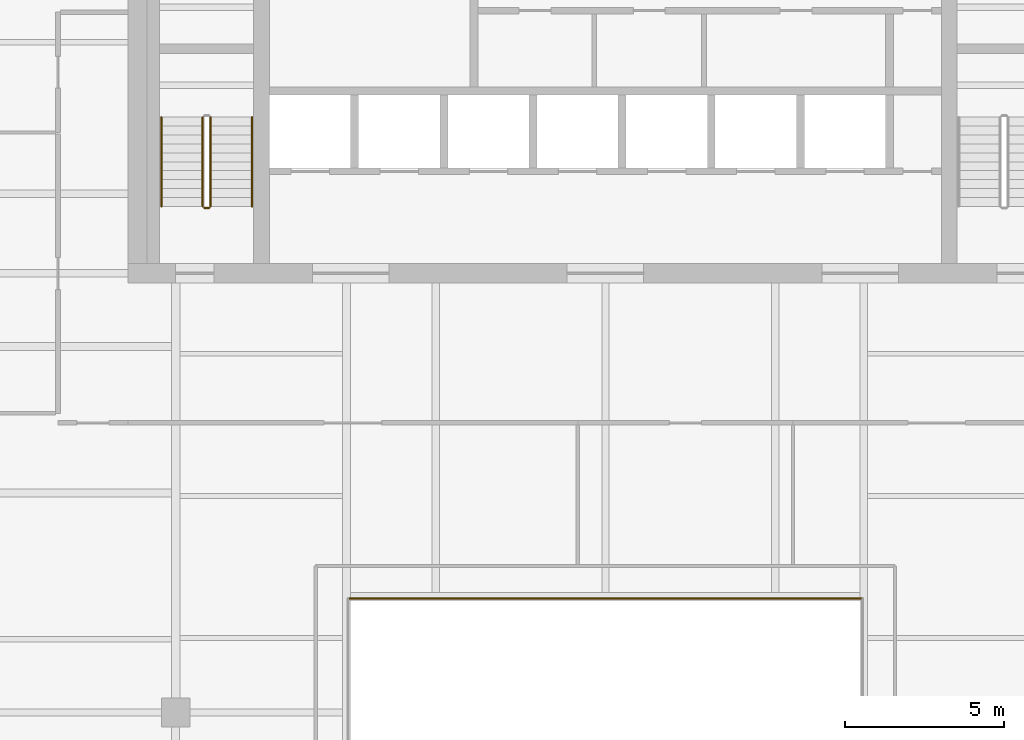
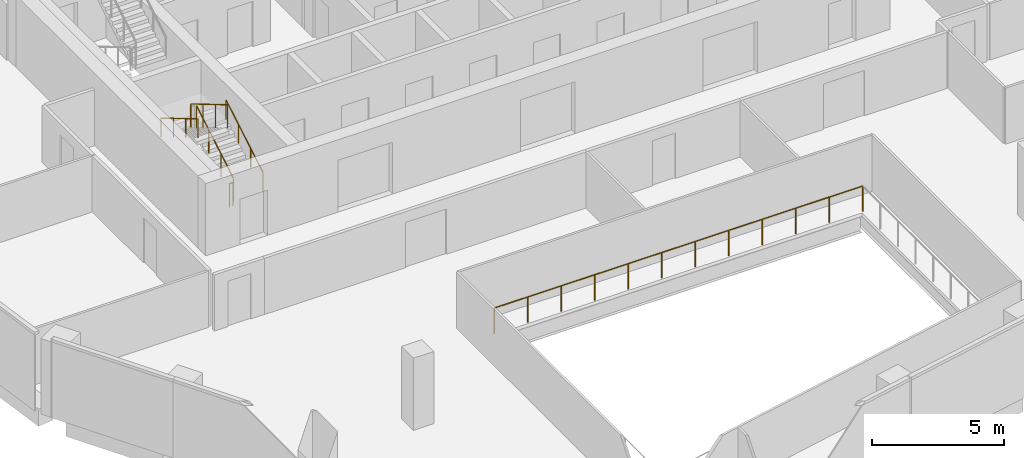
# One storey, part 13 of 16: 6 railings.
"""IFC4 building model written with IfcOpenShell, lengths in metres."""

from ifc_helpers import new_model, si_unit, direction, frame, origin, origin_2d, place, context, subcontext, project, spatial, circle, extrude, material, type_object, element, save


model = new_model("IFC4")

# Units and contexts
model_context = context("Model", 3, precision=1e-05, world=origin(), true_north=direction((0.0, 1.0)))
body_context = subcontext(model_context, "Body", "Model", "MODEL_VIEW")
ifc_project = project(units=[si_unit("LENGTHUNIT", "METRE"), si_unit("AREAUNIT", "SQUARE_METRE"), si_unit("VOLUMEUNIT", "CUBIC_METRE"), si_unit("PLANEANGLEUNIT", "RADIAN"), si_unit("MASSUNIT", "GRAM", prefix="KILO")], contexts=[model_context])

# Site, building, storey
site_placement = place(None, origin())
site = spatial("IfcSite", under=ifc_project, at=site_placement, CompositionType="ELEMENT")
building_placement = place(site_placement, origin())
building = spatial("IfcBuilding", under=site, at=building_placement, Name="Isthmus Gate Tower", CompositionType="ELEMENT")
storey_placement = place(building_placement, frame((0.0, 0.0, 252.800048828125)))
storey = spatial("IfcBuildingStorey", under=building, at=storey_placement, Name="L64", CompositionType="ELEMENT", Elevation=252.800048828125)

# Railings
ifc_material_1 = material(Name="Laminated toughened glass balustrade with steel rail", Category="steel")
railing_type_1 = type_object("IfcRailingType", Name="ATRIUM GUARD GLASS BALUSTRADE 1200", PredefinedType="GUARDRAIL", material=ifc_material_1)
railing_1_placement = place(storey_placement, frame((-8.080078125, -9.919921875, 0.0)))
element("IfcRailing", 1, at=railing_1_placement, inside=storey, type_object=railing_type_1, Name="L64 atrium guard", PredefinedType="GUARDRAIL", context=body_context, shape_type="SweptSolid", body=[
    extrude(circle(Radius=0.02490234375, at=origin_2d()), frame((0.0, 0.0, 1.1748046875), z_axis=(1.0, 0.0, 0.0), x_axis=(0.0, 1.0, 0.0)), (0.0, 0.0, 1.0), 16.16015625),
    extrude(circle(Radius=0.02490234375, at=origin_2d()), origin(), (0.0, 0.0, 1.0), 1.14990234375),
    extrude(circle(Radius=0.02490234375, at=origin_2d()), frame((1.468994140625, 0.0, 0.0)), (0.0, 0.0, 1.0), 1.14990234375),
    extrude(circle(Radius=0.02490234375, at=origin_2d()), frame((2.938232421875, 0.0, 0.0)), (0.0, 0.0, 1.0), 1.14990234375),
    extrude(circle(Radius=0.02490234375, at=origin_2d()), frame((4.4072265625, 0.0, 0.0)), (0.0, 0.0, 1.0), 1.14990234375),
    extrude(circle(Radius=0.02490234375, at=origin_2d()), frame((5.87646484375, 0.0, 0.0)), (0.0, 0.0, 1.0), 1.14990234375),
    extrude(circle(Radius=0.02490234375, at=origin_2d()), frame((7.345458984375, 0.0, 0.0)), (0.0, 0.0, 1.0), 1.14990234375),
    extrude(circle(Radius=0.02490234375, at=origin_2d()), frame((8.814697265625, 0.0, 0.0)), (0.0, 0.0, 1.0), 1.14990234375),
    extrude(circle(Radius=0.02490234375, at=origin_2d()), frame((10.28369140625, 0.0, 0.0)), (0.0, 0.0, 1.0), 1.14990234375),
    extrude(circle(Radius=0.02490234375, at=origin_2d()), frame((11.7529296875, 0.0, 0.0)), (0.0, 0.0, 1.0), 1.14990234375),
    extrude(circle(Radius=0.02490234375, at=origin_2d()), frame((13.221923828125, 0.0, 0.0)), (0.0, 0.0, 1.0), 1.14990234375),
    extrude(circle(Radius=0.02490234375, at=origin_2d()), frame((14.691162109375, 0.0, 0.0)), (0.0, 0.0, 1.0), 1.14990234375),
    extrude(circle(Radius=0.02490234375, at=origin_2d()), frame((16.16015625, 0.0, 0.0)), (0.0, 0.0, 1.0), 1.14990234375),
])
ifc_material_2 = material(Name="Stainless steel balustrade", Category="steel")
railing_type_2 = type_object("IfcRailingType", Name="STAIR GUARD 1100", PredefinedType="GUARDRAIL", material=ifc_material_2)
railing_2_placement = place(storey_placement, frame((-12.39990234375, 2.39990234375, 0.165771484375)))
element("IfcRailing", 2, at=railing_2_placement, inside=storey, type_object=railing_type_2, Name="L64 ST7 stair guard 1", PredefinedType="GUARDRAIL", context=body_context, shape_type="SweptSolid", body=[
    extrude(circle(Radius=0.02392578125, at=origin_2d()), frame((0.0, 0.0, 1.076171875), z_axis=(0.0, 0.860306154799, 0.50977771628), x_axis=(-1.0, 0.0, 0.0)), (0.0, 0.0, 1.0), 3.254638671875),
    extrude(circle(Radius=0.02099609375, at=origin_2d()), origin(), (0.0, 0.0, 1.0), 1.052001953125),
    extrude(circle(Radius=0.02099609375, at=origin_2d()), frame((0.0, 0.933349609375, 0.552978515625)), (0.0, 0.0, 1.0), 1.052001953125),
    extrude(circle(Radius=0.02099609375, at=origin_2d()), frame((0.0, 1.86669921875, 1.106201171875)), (0.0, 0.0, 1.0), 1.052001953125),
    extrude(circle(Radius=0.02099609375, at=origin_2d()), frame((0.0, 2.800048828125, 1.6591796875)), (0.0, 0.0, 1.0), 1.052001953125),
])
railing_3_placement = place(storey_placement, frame((-12.64990234375, 5.199951171875, 1.990966796875)))
element("IfcRailing", 3, at=railing_3_placement, inside=storey, type_object=railing_type_2, Name="L64 ST7 stair guard 3", PredefinedType="GUARDRAIL", context=body_context, shape_type="SweptSolid", body=[
    extrude(circle(Radius=0.02392578125, at=origin_2d()), frame((0.0, 0.0, 1.076171875), z_axis=(0.0, -0.860339051648, 0.50972219513), x_axis=(1.0, 0.0, 0.0)), (0.0, 0.0, 1.0), 3.254638671875),
    extrude(circle(Radius=0.02099609375, at=origin_2d()), origin(), (0.0, 0.0, 1.0), 1.052001953125),
    extrude(circle(Radius=0.02099609375, at=origin_2d()), frame((0.0, -0.933349609375, 0.552978515625)), (0.0, 0.0, 1.0), 1.052001953125),
    extrude(circle(Radius=0.02099609375, at=origin_2d()), frame((0.0, -1.86669921875, 1.10595703125)), (0.0, 0.0, 1.0), 1.052001953125),
    extrude(circle(Radius=0.02099609375, at=origin_2d()), frame((0.0, -2.800048828125, 1.658935546875)), (0.0, 0.0, 1.0), 1.052001953125),
])
railing_4_placement = place(storey_placement, frame((-12.449951171875, 2.35009765625, 0.0)))
element("IfcRailing", 4, at=railing_4_placement, inside=storey, type_object=railing_type_2, Name="L64 ST7 stair guard 4", PredefinedType="GUARDRAIL", context=body_context, shape_type="SweptSolid", body=[
    extrude(circle(Radius=0.02392578125, at=origin_2d()), frame((0.0, 0.0, 1.076171875), z_axis=(-1.0, 0.0, 0.0), x_axis=(0.0, -1.0, 0.0)), (0.0, 0.0, 1.0), 0.150146484375),
    extrude(circle(Radius=0.02099609375, at=origin_2d()), origin(), (0.0, 0.0, 1.0), 1.052001953125),
    extrude(circle(Radius=0.02099609375, at=origin_2d()), frame((-0.150146484375, 0.0, 0.0)), (0.0, 0.0, 1.0), 1.052001953125),
])
ifc_material_3 = material(Name="Stainless steel handrail", Category="steel")
railing_type_3 = type_object("IfcRailingType", Name="STAIR HANDRAIL 900", PredefinedType="HANDRAIL", material=ifc_material_3)
railing_5_placement = place(storey_placement, frame((-11.10009765625, 2.39990234375, 0.165771484375)))
element("IfcRailing", 5, at=railing_5_placement, inside=storey, type_object=railing_type_3, Name="L64 ST7 stair handrail 1", PredefinedType="HANDRAIL", context=body_context, shape_type="SweptSolid", body=[
    extrude(circle(Radius=0.02392578125, at=origin_2d()), frame((0.0, 0.0, 0.8759765625), z_axis=(0.0, 0.860306154799, 0.50977771628), x_axis=(-1.0, 0.0, 0.0)), (0.0, 0.0, 1.0), 3.254638671875),
    extrude(circle(Radius=0.02099609375, at=origin_2d()), origin(), (0.0, 0.0, 1.0), 0.851806640625),
    extrude(circle(Radius=0.02099609375, at=origin_2d()), frame((0.0, 0.933349609375, 0.552978515625)), (0.0, 0.0, 1.0), 0.851806640625),
    extrude(circle(Radius=0.02099609375, at=origin_2d()), frame((0.0, 1.86669921875, 1.106201171875)), (0.0, 0.0, 1.0), 0.851806640625),
    extrude(circle(Radius=0.02099609375, at=origin_2d()), frame((0.0, 2.800048828125, 1.6591796875)), (0.0, 0.0, 1.0), 0.851806640625),
])
railing_6_placement = place(storey_placement, frame((-13.949951171875, 5.199951171875, 1.990966796875)))
element("IfcRailing", 6, at=railing_6_placement, inside=storey, type_object=railing_type_3, Name="L64 ST7 stair handrail 2", PredefinedType="HANDRAIL", context=body_context, shape_type="SweptSolid", body=[
    extrude(circle(Radius=0.02392578125, at=origin_2d()), frame((0.0, 0.0, 0.8759765625), z_axis=(0.0, -0.860339051648, 0.50972219513), x_axis=(1.0, 0.0, 0.0)), (0.0, 0.0, 1.0), 3.254638671875),
    extrude(circle(Radius=0.02099609375, at=origin_2d()), origin(), (0.0, 0.0, 1.0), 0.851806640625),
    extrude(circle(Radius=0.02099609375, at=origin_2d()), frame((0.0, -0.933349609375, 0.552978515625)), (0.0, 0.0, 1.0), 0.851806640625),
    extrude(circle(Radius=0.02099609375, at=origin_2d()), frame((0.0, -1.86669921875, 1.10595703125)), (0.0, 0.0, 1.0), 0.851806640625),
    extrude(circle(Radius=0.02099609375, at=origin_2d()), frame((0.0, -2.800048828125, 1.658935546875)), (0.0, 0.0, 1.0), 0.851806640625),
])

save(model, "model.ifc")
